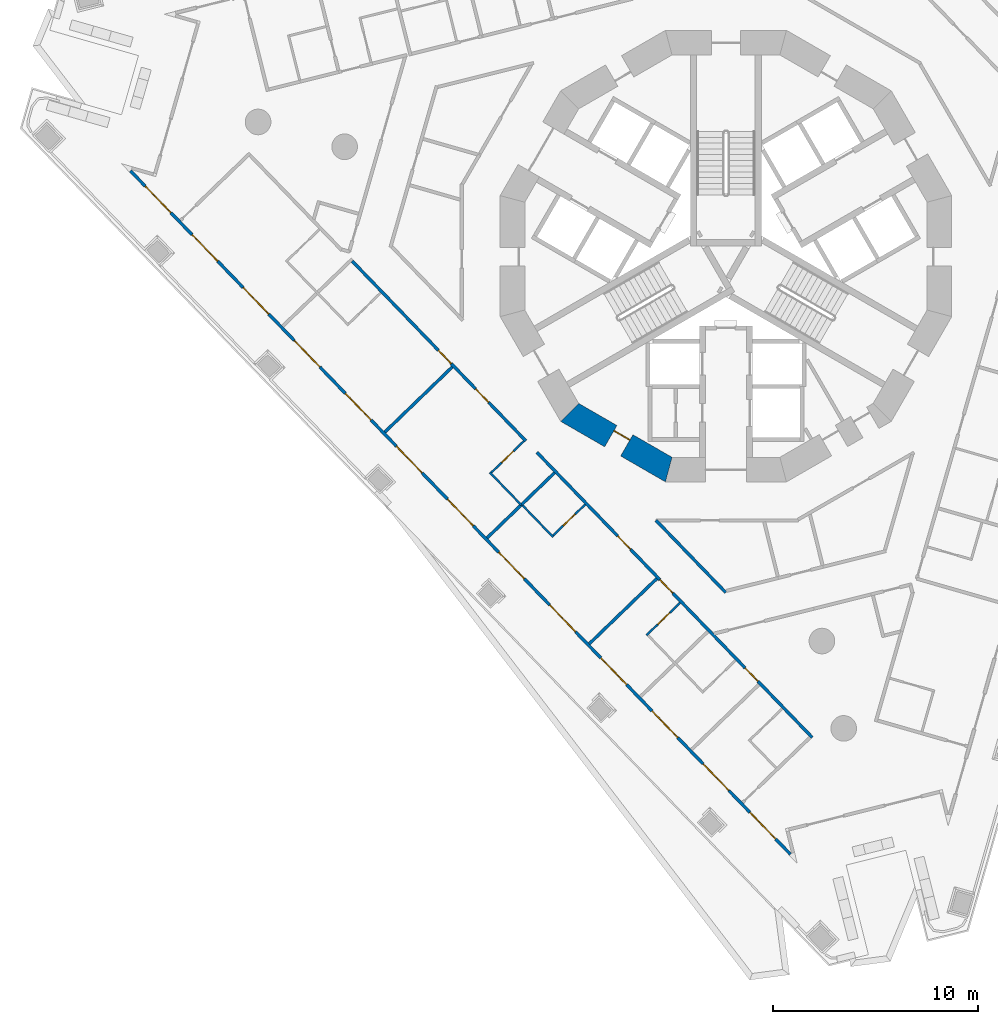
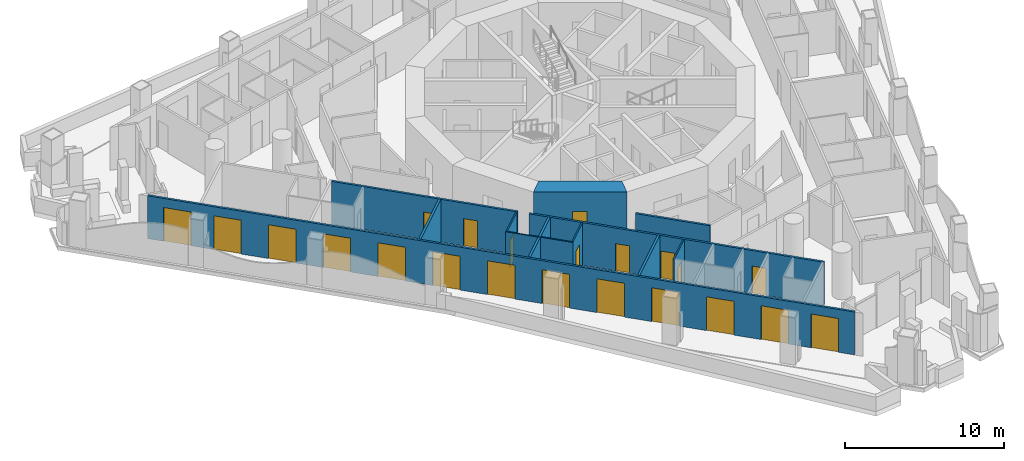
# One storey, part 2 of 19: 22 doors, 14 walls, 22 openings.
"""IFC4 building model written with IfcOpenShell, lengths in metres."""

from ifc_helpers import new_model, si_unit, direction, frame, frame_2d, origin, place, context, subcontext, project, spatial, polyline, rectangle, outline, extrude, material, layer, layer_set, type_object, element, fill, save


model = new_model("IFC4")

# Units and contexts
model_context = context("Model", 3, precision=1e-05, world=origin(), true_north=direction((0.0, 1.0)))
body_context = subcontext(model_context, "Body", "Model", "MODEL_VIEW")
ifc_project = project(units=[si_unit("LENGTHUNIT", "METRE"), si_unit("AREAUNIT", "SQUARE_METRE"), si_unit("VOLUMEUNIT", "CUBIC_METRE"), si_unit("PLANEANGLEUNIT", "RADIAN"), si_unit("MASSUNIT", "GRAM", prefix="KILO")], contexts=[model_context])

# Site, building, storey
site_placement = place(None, origin())
site = spatial("IfcSite", under=ifc_project, at=site_placement, CompositionType="ELEMENT")
building_placement = place(site_placement, origin())
building = spatial("IfcBuilding", under=site, at=building_placement, Name="Trine Commons Tower", CompositionType="ELEMENT")
storey_placement = place(building_placement, frame((0.0, 0.0, 87.300048828125)))
storey = spatial("IfcBuildingStorey", under=building, at=storey_placement, Name="L21", CompositionType="ELEMENT", Elevation=87.300048828125)

# Wall, openings, doors
ifc_material_1 = material(Name="Aluminium-framed insulated wall panel", Category="aluminium")
ifc_layer_1 = layer(ifc_material_1, 0.14990234375)
ifc_layer_set_1 = layer_set([ifc_layer_1], Name="Aluminium-framed insulated wall panel")
wall_type_1 = type_object("IfcWallType", Name="Glazed frame wall 150, EI 60", PredefinedType="SOLIDWALL", material=ifc_layer_set_1)
wall_1_placement = place(storey_placement, frame((83.25048828125, 33.21630859375, 0.0), z_axis=(0.0, 0.0, 1.0), x_axis=(-0.69466017463, 0.719338058067, 0.0)))
wall_1 = element("IfcWall", 1, at=wall_1_placement, inside=storey, type_object=wall_type_1, Name="Glazed frame wall F3", PredefinedType="SOLIDWALL", context=body_context, shape_type="SweptSolid", body=[
    extrude(outline(polyline([(0.1494140625, 0.074951171875), (0.1494140625, -0.074951171875), (46.496826171875, -0.074951171875), (46.496826171875, 0.074951171875), (0.1494140625, 0.074951171875)])), origin(), (0.0, 0.0, 1.0), 3.300048828125),
])
opening_1_placement = place(wall_1_placement, frame((1.194091796875, 0.0, 0.0)))
opening_1 = element("IfcOpeningElement", 2, at=opening_1_placement, cuts=wall_1, Name="Opening BD-3F3-01", PredefinedType="OPENING", context=body_context, shape_type="SweptSolid", body=[
    extrude(rectangle(XDim=1.800048828125, YDim=2.60009765625, at=frame_2d((0.89990234375, 1.300048828125))), frame((0.0, 0.0849609375, 0.0), z_axis=(0.0, -1.0, 0.0), x_axis=(1.0, 0.0, 0.0)), (0.0, 0.0, 1.0), 0.169921875),
])
opening_2_placement = place(wall_1_placement, frame((4.482421875, 0.0, 0.0)))
opening_2 = element("IfcOpeningElement", 3, at=opening_2_placement, cuts=wall_1, Name="Opening BD-3F3-02", PredefinedType="OPENING", context=body_context, shape_type="SweptSolid", body=[
    extrude(rectangle(XDim=1.800048828125, YDim=2.60009765625, at=frame_2d((0.89990234375, 1.300048828125))), frame((0.0, 0.0849609375, 0.0), z_axis=(0.0, -1.0, 0.0), x_axis=(1.0, 0.0, 0.0)), (0.0, 0.0, 1.0), 0.169921875),
])
opening_3_placement = place(wall_1_placement, frame((8.070556640625, 0.0, 0.0)))
opening_3 = element("IfcOpeningElement", 4, at=opening_3_placement, cuts=wall_1, Name="Opening BD-3F3-03", PredefinedType="OPENING", context=body_context, shape_type="SweptSolid", body=[
    extrude(rectangle(XDim=1.800048828125, YDim=2.60009765625, at=frame_2d((0.89990234375, 1.300048828125))), frame((0.0, 0.0849609375, 0.0), z_axis=(0.0, -1.0, 0.0), x_axis=(1.0, 0.0, 0.0)), (0.0, 0.0, 1.0), 0.169921875),
])
opening_4_placement = place(wall_1_placement, frame((11.65869140625, 0.0, 0.0)))
opening_4 = element("IfcOpeningElement", 5, at=opening_4_placement, cuts=wall_1, Name="Opening BD-3F3-04", PredefinedType="OPENING", context=body_context, shape_type="SweptSolid", body=[
    extrude(rectangle(XDim=1.800048828125, YDim=2.60009765625, at=frame_2d((0.89990234375, 1.300048828125))), frame((0.0, 0.0849609375, 0.0), z_axis=(0.0, -1.0, 0.0), x_axis=(1.0, 0.0, 0.0)), (0.0, 0.0, 1.0), 0.169921875),
])
opening_5_placement = place(wall_1_placement, frame((15.246826171875, 0.0, 0.0)))
opening_5 = element("IfcOpeningElement", 6, at=opening_5_placement, cuts=wall_1, Name="Opening BD-3F3-05", PredefinedType="OPENING", context=body_context, shape_type="SweptSolid", body=[
    extrude(rectangle(XDim=1.800048828125, YDim=2.60009765625, at=frame_2d((0.89990234375, 1.300048828125))), frame((0.0, 0.0849609375, 0.0), z_axis=(0.0, -1.0, 0.0), x_axis=(1.0, 0.0, 0.0)), (0.0, 0.0, 1.0), 0.169921875),
])
opening_6_placement = place(wall_1_placement, frame((18.835205078125, 0.0, 0.0)))
opening_6 = element("IfcOpeningElement", 7, at=opening_6_placement, cuts=wall_1, Name="Opening BD-3F3-06", PredefinedType="OPENING", context=body_context, shape_type="SweptSolid", body=[
    extrude(rectangle(XDim=1.800048828125, YDim=2.60009765625, at=frame_2d((0.89990234375, 1.300048828125))), frame((0.0, 0.0849609375, 0.0), z_axis=(0.0, -1.0, 0.0), x_axis=(1.0, 0.0, 0.0)), (0.0, 0.0, 1.0), 0.169921875),
])
opening_7_placement = place(wall_1_placement, frame((22.42333984375, 0.0, 0.0)))
opening_7 = element("IfcOpeningElement", 8, at=opening_7_placement, cuts=wall_1, Name="Opening BD-3F3-07", PredefinedType="OPENING", context=body_context, shape_type="SweptSolid", body=[
    extrude(rectangle(XDim=1.800048828125, YDim=2.60009765625, at=frame_2d((0.89990234375, 1.300048828125))), frame((0.0, 0.0849609375, 0.0), z_axis=(0.0, -1.0, 0.0), x_axis=(1.0, 0.0, 0.0)), (0.0, 0.0, 1.0), 0.169921875),
])
opening_8_placement = place(wall_1_placement, frame((26.011474609375, 0.0, 0.0)))
opening_8 = element("IfcOpeningElement", 9, at=opening_8_placement, cuts=wall_1, Name="Opening BD-3F3-08", PredefinedType="OPENING", context=body_context, shape_type="SweptSolid", body=[
    extrude(rectangle(XDim=1.800048828125, YDim=2.60009765625, at=frame_2d((0.89990234375, 1.300048828125))), frame((0.0, 0.0849609375, 0.0), z_axis=(0.0, -1.0, 0.0), x_axis=(1.0, 0.0, 0.0)), (0.0, 0.0, 1.0), 0.169921875),
])
opening_9_placement = place(wall_1_placement, frame((29.599609375, 0.0, 0.0)))
opening_9 = element("IfcOpeningElement", 10, at=opening_9_placement, cuts=wall_1, Name="Opening BD-3F3-09", PredefinedType="OPENING", context=body_context, shape_type="SweptSolid", body=[
    extrude(rectangle(XDim=1.800048828125, YDim=2.60009765625, at=frame_2d((0.89990234375, 1.300048828125))), frame((0.0, 0.0849609375, 0.0), z_axis=(0.0, -1.0, 0.0), x_axis=(1.0, 0.0, 0.0)), (0.0, 0.0, 1.0), 0.169921875),
])
opening_10_placement = place(wall_1_placement, frame((33.18798828125, 0.0, 0.0)))
opening_10 = element("IfcOpeningElement", 11, at=opening_10_placement, cuts=wall_1, Name="Opening BD-3F3-10", PredefinedType="OPENING", context=body_context, shape_type="SweptSolid", body=[
    extrude(rectangle(XDim=1.800048828125, YDim=2.60009765625, at=frame_2d((0.89990234375, 1.300048828125))), frame((0.0, 0.0849609375, 0.0), z_axis=(0.0, -1.0, 0.0), x_axis=(1.0, 0.0, 0.0)), (0.0, 0.0, 1.0), 0.169921875),
])
opening_11_placement = place(wall_1_placement, frame((36.776123046875, 0.0, 0.0)))
opening_11 = element("IfcOpeningElement", 12, at=opening_11_placement, cuts=wall_1, Name="Opening BD-3F3-11", PredefinedType="OPENING", context=body_context, shape_type="SweptSolid", body=[
    extrude(rectangle(XDim=1.800048828125, YDim=2.60009765625, at=frame_2d((0.89990234375, 1.300048828125))), frame((0.0, 0.0849609375, 0.0), z_axis=(0.0, -1.0, 0.0), x_axis=(1.0, 0.0, 0.0)), (0.0, 0.0, 1.0), 0.169921875),
])
opening_12_placement = place(wall_1_placement, frame((40.3642578125, 0.0, 0.0)))
opening_12 = element("IfcOpeningElement", 13, at=opening_12_placement, cuts=wall_1, Name="Opening BD-3F3-12", PredefinedType="OPENING", context=body_context, shape_type="SweptSolid", body=[
    extrude(rectangle(XDim=1.800048828125, YDim=2.60009765625, at=frame_2d((0.89990234375, 1.300048828125))), frame((0.0, 0.0849609375, 0.0), z_axis=(0.0, -1.0, 0.0), x_axis=(1.0, 0.0, 0.0)), (0.0, 0.0, 1.0), 0.169921875),
])
opening_13_placement = place(wall_1_placement, frame((43.652587890625, 0.0, 0.0)))
opening_13 = element("IfcOpeningElement", 14, at=opening_13_placement, cuts=wall_1, Name="Opening BD-3F3-13", PredefinedType="OPENING", context=body_context, shape_type="SweptSolid", body=[
    extrude(rectangle(XDim=1.800048828125, YDim=2.60009765625, at=frame_2d((0.89990234375, 1.300048828125))), frame((0.0, 0.0849609375, 0.0), z_axis=(0.0, -1.0, 0.0), x_axis=(1.0, 0.0, 0.0)), (0.0, 0.0, 1.0), 0.169921875),
])
ifc_material_2 = material(Name="Anodised aluminium frame with double glazing", Category="aluminium")
door_type_1 = type_object("IfcDoorType", Name="Sliding loggia door 1800x2600", OperationType="SLIDING_TO_LEFT", PredefinedType="DOOR", material=ifc_material_2)
door_1_placement = place(opening_1_placement, origin())
door_1 = element("IfcDoor", 15, at=door_1_placement, inside=storey, type_object=door_type_1, Name="Loggia door F3 1", OperationType="SLIDING_TO_LEFT", OverallHeight=2.60009765625, OverallWidth=1.800048828125, PredefinedType="DOOR", context=body_context, shape_type="SweptSolid", body=[
    extrude(rectangle(XDim=1.800048828125, YDim=2.60009765625, at=frame_2d((0.89990234375, 1.300048828125))), frame((0.0, 0.02490234375, 0.0), z_axis=(0.0, -1.0, 0.0), x_axis=(1.0, 0.0, 0.0)), (0.0, 0.0, 1.0), 0.050048828125),
])
fill(opening_1, door_1)
door_2_placement = place(opening_2_placement, origin())
door_2 = element("IfcDoor", 16, at=door_2_placement, inside=storey, type_object=door_type_1, Name="Loggia door F3 2", OperationType="SLIDING_TO_LEFT", OverallHeight=2.60009765625, OverallWidth=1.800048828125, PredefinedType="DOOR", context=body_context, shape_type="SweptSolid", body=[
    extrude(rectangle(XDim=1.800048828125, YDim=2.60009765625, at=frame_2d((0.89990234375, 1.300048828125))), frame((0.0, 0.02490234375, 0.0), z_axis=(0.0, -1.0, 0.0), x_axis=(1.0, 0.0, 0.0)), (0.0, 0.0, 1.0), 0.050048828125),
])
fill(opening_2, door_2)
door_3_placement = place(opening_3_placement, origin())
door_3 = element("IfcDoor", 17, at=door_3_placement, inside=storey, type_object=door_type_1, Name="Loggia door F3 3", OperationType="SLIDING_TO_LEFT", OverallHeight=2.60009765625, OverallWidth=1.800048828125, PredefinedType="DOOR", context=body_context, shape_type="SweptSolid", body=[
    extrude(rectangle(XDim=1.800048828125, YDim=2.60009765625, at=frame_2d((0.89990234375, 1.300048828125))), frame((0.0, 0.02490234375, 0.0), z_axis=(0.0, -1.0, 0.0), x_axis=(1.0, 0.0, 0.0)), (0.0, 0.0, 1.0), 0.050048828125),
])
fill(opening_3, door_3)
door_4_placement = place(opening_4_placement, origin())
door_4 = element("IfcDoor", 18, at=door_4_placement, inside=storey, type_object=door_type_1, Name="Loggia door F3 4", OperationType="SLIDING_TO_LEFT", OverallHeight=2.60009765625, OverallWidth=1.800048828125, PredefinedType="DOOR", context=body_context, shape_type="SweptSolid", body=[
    extrude(rectangle(XDim=1.800048828125, YDim=2.60009765625, at=frame_2d((0.89990234375, 1.300048828125))), frame((0.0, 0.02490234375, 0.0), z_axis=(0.0, -1.0, 0.0), x_axis=(1.0, 0.0, 0.0)), (0.0, 0.0, 1.0), 0.050048828125),
])
fill(opening_4, door_4)
door_5_placement = place(opening_5_placement, origin())
door_5 = element("IfcDoor", 19, at=door_5_placement, inside=storey, type_object=door_type_1, Name="Loggia door F3 5", OperationType="SLIDING_TO_LEFT", OverallHeight=2.60009765625, OverallWidth=1.800048828125, PredefinedType="DOOR", context=body_context, shape_type="SweptSolid", body=[
    extrude(rectangle(XDim=1.800048828125, YDim=2.60009765625, at=frame_2d((0.89990234375, 1.300048828125))), frame((0.0, 0.02490234375, 0.0), z_axis=(0.0, -1.0, 0.0), x_axis=(1.0, 0.0, 0.0)), (0.0, 0.0, 1.0), 0.050048828125),
])
fill(opening_5, door_5)
door_6_placement = place(opening_6_placement, origin())
door_6 = element("IfcDoor", 20, at=door_6_placement, inside=storey, type_object=door_type_1, Name="Loggia door F3 6", OperationType="SLIDING_TO_LEFT", OverallHeight=2.60009765625, OverallWidth=1.800048828125, PredefinedType="DOOR", context=body_context, shape_type="SweptSolid", body=[
    extrude(rectangle(XDim=1.800048828125, YDim=2.60009765625, at=frame_2d((0.89990234375, 1.300048828125))), frame((0.0, 0.02490234375, 0.0), z_axis=(0.0, -1.0, 0.0), x_axis=(1.0, 0.0, 0.0)), (0.0, 0.0, 1.0), 0.050048828125),
])
fill(opening_6, door_6)
door_7_placement = place(opening_7_placement, origin())
door_7 = element("IfcDoor", 21, at=door_7_placement, inside=storey, type_object=door_type_1, Name="Loggia door F3 7", OperationType="SLIDING_TO_LEFT", OverallHeight=2.60009765625, OverallWidth=1.800048828125, PredefinedType="DOOR", context=body_context, shape_type="SweptSolid", body=[
    extrude(rectangle(XDim=1.800048828125, YDim=2.60009765625, at=frame_2d((0.89990234375, 1.300048828125))), frame((0.0, 0.02490234375, 0.0), z_axis=(0.0, -1.0, 0.0), x_axis=(1.0, 0.0, 0.0)), (0.0, 0.0, 1.0), 0.050048828125),
])
fill(opening_7, door_7)
door_8_placement = place(opening_8_placement, origin())
door_8 = element("IfcDoor", 22, at=door_8_placement, inside=storey, type_object=door_type_1, Name="Loggia door F3 8", OperationType="SLIDING_TO_LEFT", OverallHeight=2.60009765625, OverallWidth=1.800048828125, PredefinedType="DOOR", context=body_context, shape_type="SweptSolid", body=[
    extrude(rectangle(XDim=1.800048828125, YDim=2.60009765625, at=frame_2d((0.89990234375, 1.300048828125))), frame((0.0, 0.02490234375, 0.0), z_axis=(0.0, -1.0, 0.0), x_axis=(1.0, 0.0, 0.0)), (0.0, 0.0, 1.0), 0.050048828125),
])
fill(opening_8, door_8)
door_9_placement = place(opening_9_placement, origin())
door_9 = element("IfcDoor", 23, at=door_9_placement, inside=storey, type_object=door_type_1, Name="Loggia door F3 9", OperationType="SLIDING_TO_LEFT", OverallHeight=2.60009765625, OverallWidth=1.800048828125, PredefinedType="DOOR", context=body_context, shape_type="SweptSolid", body=[
    extrude(rectangle(XDim=1.800048828125, YDim=2.60009765625, at=frame_2d((0.89990234375, 1.300048828125))), frame((0.0, 0.02490234375, 0.0), z_axis=(0.0, -1.0, 0.0), x_axis=(1.0, 0.0, 0.0)), (0.0, 0.0, 1.0), 0.050048828125),
])
fill(opening_9, door_9)
door_10_placement = place(opening_10_placement, origin())
door_10 = element("IfcDoor", 24, at=door_10_placement, inside=storey, type_object=door_type_1, Name="Loggia door F3 10", OperationType="SLIDING_TO_LEFT", OverallHeight=2.60009765625, OverallWidth=1.800048828125, PredefinedType="DOOR", context=body_context, shape_type="SweptSolid", body=[
    extrude(rectangle(XDim=1.800048828125, YDim=2.60009765625, at=frame_2d((0.89990234375, 1.300048828125))), frame((0.0, 0.02490234375, 0.0), z_axis=(0.0, -1.0, 0.0), x_axis=(1.0, 0.0, 0.0)), (0.0, 0.0, 1.0), 0.050048828125),
])
fill(opening_10, door_10)
door_11_placement = place(opening_11_placement, origin())
door_11 = element("IfcDoor", 25, at=door_11_placement, inside=storey, type_object=door_type_1, Name="Loggia door F3 11", OperationType="SLIDING_TO_LEFT", OverallHeight=2.60009765625, OverallWidth=1.800048828125, PredefinedType="DOOR", context=body_context, shape_type="SweptSolid", body=[
    extrude(rectangle(XDim=1.800048828125, YDim=2.60009765625, at=frame_2d((0.89990234375, 1.300048828125))), frame((0.0, 0.02490234375, 0.0), z_axis=(0.0, -1.0, 0.0), x_axis=(1.0, 0.0, 0.0)), (0.0, 0.0, 1.0), 0.050048828125),
])
fill(opening_11, door_11)
door_12_placement = place(opening_12_placement, origin())
door_12 = element("IfcDoor", 26, at=door_12_placement, inside=storey, type_object=door_type_1, Name="Loggia door F3 12", OperationType="SLIDING_TO_LEFT", OverallHeight=2.60009765625, OverallWidth=1.800048828125, PredefinedType="DOOR", context=body_context, shape_type="SweptSolid", body=[
    extrude(rectangle(XDim=1.800048828125, YDim=2.60009765625, at=frame_2d((0.89990234375, 1.300048828125))), frame((0.0, 0.02490234375, 0.0), z_axis=(0.0, -1.0, 0.0), x_axis=(1.0, 0.0, 0.0)), (0.0, 0.0, 1.0), 0.050048828125),
])
fill(opening_12, door_12)
door_13_placement = place(opening_13_placement, origin())
door_13 = element("IfcDoor", 27, at=door_13_placement, inside=storey, type_object=door_type_1, Name="Loggia door F3 13", OperationType="SLIDING_TO_LEFT", OverallHeight=2.60009765625, OverallWidth=1.800048828125, PredefinedType="DOOR", context=body_context, shape_type="SweptSolid", body=[
    extrude(rectangle(XDim=1.800048828125, YDim=2.60009765625, at=frame_2d((0.89990234375, 1.300048828125))), frame((0.0, 0.02490234375, 0.0), z_axis=(0.0, -1.0, 0.0), x_axis=(1.0, 0.0, 0.0)), (0.0, 0.0, 1.0), 0.050048828125),
])
fill(opening_13, door_13)

# Wall, opening, door
ifc_material_3 = material(Name="Concrete C70/85", Category="concrete")
ifc_layer_2 = layer(ifc_material_3, 1.199951171875)
ifc_layer_set_2 = layer_set([ifc_layer_2], Name="Concrete C70/85")
wall_type_2 = type_object("IfcWallType", Name="RC shear wall 1200 mm, C70/85", PredefinedType="SHEAR", material=ifc_layer_set_2)
wall_2_placement = place(storey_placement, frame((72.239013671875, 54.95849609375, 0.0), z_axis=(0.0, 0.0, 1.0), x_axis=(0.866037463336, -0.499979111662, 0.0)))
wall_2 = element("IfcWall", 28, at=wall_2_placement, inside=storey, type_object=wall_type_2, Name="Core wall CWC-09 L21", PredefinedType="SHEAR", context=body_context, shape_type="SweptSolid", body=[
    extrude(outline(polyline([(0.0, -0.60009765625), (5.901123046875, -0.60009765625), (5.57958984375, 0.60009765625), (0.321533203125, 0.60009765625), (0.0, -0.60009765625)])), origin(), (0.0, 0.0, 1.0), 3.599853515625),
])
opening_14_placement = place(wall_2_placement, frame((2.4765625, 0.0, 0.0)))
opening_14 = element("IfcOpeningElement", 29, at=opening_14_placement, cuts=wall_2, Name="Opening K04.15", PredefinedType="OPENING", context=body_context, shape_type="SweptSolid", body=[
    extrude(rectangle(XDim=0.89990234375, YDim=2.10009765625, at=frame_2d((0.449951171875, 1.050048828125))), frame((0.0, 0.60986328125, 0.0), z_axis=(0.0, -1.0, 0.0), x_axis=(1.0, 0.0, 0.0)), (0.0, 0.0, 1.0), 1.219970703125),
])
ifc_material_4 = material(Name="Steel door leaf, fire-rated", Category="steel")
door_type_2 = type_object("IfcDoorType", Name="Core room door, single leaf 900 x 2100, FD30S", OperationType="SINGLE_SWING_LEFT", PredefinedType="DOOR", material=ifc_material_4)
door_14_placement = place(opening_14_placement, origin())
door_14 = element("IfcDoor", 30, at=door_14_placement, inside=storey, type_object=door_type_2, Name="Door to Cleaner's store L21", OperationType="SINGLE_SWING_LEFT", OverallHeight=2.10009765625, OverallWidth=0.89990234375, PredefinedType="DOOR", context=body_context, shape_type="SweptSolid", body=[
    extrude(rectangle(XDim=0.89990234375, YDim=2.10009765625, at=frame_2d((0.449951171875, 1.050048828125))), frame((0.0, 0.3251953125, 0.0), z_axis=(0.0, -1.0, 0.0), x_axis=(1.0, 0.0, 0.0)), (0.0, 0.0, 1.0), 0.050048828125),
])
fill(opening_14, door_14)

# Wall, openings, doors
ifc_material_5 = material(Name="Gypsum plasterboard on steel stud", Category="steel")
ifc_layer_3 = layer(ifc_material_5, 0.14990234375)
ifc_layer_set_3 = layer_set([ifc_layer_3], Name="Gypsum plasterboard on steel stud")
wall_type_3 = type_object("IfcWallType", Name="Unit and corridor wall 150 mm, EI 60", PredefinedType="PARTITIONING", material=ifc_layer_set_3)
wall_3_placement = place(storey_placement, frame((61.772216796875, 62.257080078125, 0.0), z_axis=(0.0, 0.0, 1.0), x_axis=(0.694667095858, -0.719331374217, 0.0)))
wall_3 = element("IfcWall", 31, at=wall_3_placement, inside=storey, type_object=wall_type_3, Name="Partition 019", PredefinedType="PARTITIONING", context=body_context, shape_type="SweptSolid", body=[
    extrude(rectangle(XDim=12.18505859375, YDim=0.14990234375, at=frame_2d((6.092529296875, 0.0))), origin(), (0.0, 0.0, 1.0), 3.300048828125),
])
opening_15_placement = place(wall_3_placement, frame((8.67138671875, 0.0, 0.0)))
opening_15 = element("IfcOpeningElement", 32, at=opening_15_placement, cuts=wall_3, Name="Opening D-3A26", PredefinedType="OPENING", context=body_context, shape_type="SweptSolid", body=[
    extrude(rectangle(XDim=0.89990234375, YDim=2.10009765625, at=frame_2d((0.449951171875, 1.050048828125))), frame((0.0, 0.0849609375, 0.0), z_axis=(0.0, -1.0, 0.0), x_axis=(1.0, 0.0, 0.0)), (0.0, 0.0, 1.0), 0.169921875),
])
opening_16_placement = place(wall_3_placement, frame((6.0546875, 0.0, 0.0)))
opening_16 = element("IfcOpeningElement", 33, at=opening_16_placement, cuts=wall_3, Name="Opening D-3A27", PredefinedType="OPENING", context=body_context, shape_type="SweptSolid", body=[
    extrude(rectangle(XDim=0.89990234375, YDim=2.10009765625, at=frame_2d((0.449951171875, 1.050048828125))), frame((0.0, 0.0849609375, 0.0), z_axis=(0.0, -1.0, 0.0), x_axis=(1.0, 0.0, 0.0)), (0.0, 0.0, 1.0), 0.169921875),
])
ifc_material_6 = material(Name="Timber fire door set", Category="wood")
door_type_3 = type_object("IfcDoorType", Name="Bedroom door 900 x 2100, FD30S", OperationType="NOTDEFINED", PredefinedType="DOOR", material=ifc_material_6)
door_15_placement = place(opening_15_placement, frame((0.89990234375, 0.0, 0.0), z_axis=(0.0, 0.0, 1.0), x_axis=(-1.0, 0.0, 0.0)))
door_15 = element("IfcDoor", 34, at=door_15_placement, inside=storey, type_object=door_type_3, Name="Door D-3A26", OperationType="SINGLE_SWING_LEFT", OverallHeight=2.10009765625, OverallWidth=0.89990234375, PredefinedType="DOOR", context=body_context, shape_type="SweptSolid", body=[
    extrude(rectangle(XDim=0.89990234375, YDim=2.10009765625, at=frame_2d((0.449951171875, 1.050048828125))), frame((0.0, 0.02490234375, 0.0), z_axis=(0.0, -1.0, 0.0), x_axis=(1.0, 0.0, 0.0)), (0.0, 0.0, 1.0), 0.050048828125),
])
fill(opening_15, door_15)
door_16_placement = place(opening_16_placement, frame((0.89990234375, 0.0, 0.0), z_axis=(0.0, 0.0, 1.0), x_axis=(-1.0, 0.0, 0.0)))
door_16 = element("IfcDoor", 35, at=door_16_placement, inside=storey, type_object=door_type_3, Name="Door D-3A27", OperationType="SINGLE_SWING_LEFT", OverallHeight=2.10009765625, OverallWidth=0.89990234375, PredefinedType="DOOR", context=body_context, shape_type="SweptSolid", body=[
    extrude(rectangle(XDim=0.89990234375, YDim=2.10009765625, at=frame_2d((0.449951171875, 1.050048828125))), frame((0.0, 0.02490234375, 0.0), z_axis=(0.0, -1.0, 0.0), x_axis=(1.0, 0.0, 0.0)), (0.0, 0.0, 1.0), 0.050048828125),
])
fill(opening_16, door_16)

# Walls
wall_4_placement = place(storey_placement, frame((63.36376953125, 53.917724609375, 0.0), z_axis=(0.0, 0.0, 1.0), x_axis=(0.719359139448, 0.694638343667, 0.0)))
element("IfcWall", 36, at=wall_4_placement, inside=storey, type_object=wall_type_3, Name="Partition 023", PredefinedType="PARTITIONING", context=body_context, shape_type="SweptSolid", body=[
    extrude(rectangle(XDim=4.572509765625, YDim=0.14990234375, at=frame_2d((2.2861328125, 0.0))), origin(), (0.0, 0.0, 1.0), 3.300048828125),
])
wall_5_placement = place(storey_placement, frame((68.348876953125, 48.7548828125, 0.0), z_axis=(0.0, 0.0, 1.0), x_axis=(0.719519317985, 0.694472426412, 0.0)))
element("IfcWall", 37, at=wall_5_placement, inside=storey, type_object=wall_type_3, Name="Partition 041", PredefinedType="PARTITIONING", context=body_context, shape_type="SweptSolid", body=[
    extrude(rectangle(XDim=2.31982421875, YDim=0.14990234375, at=frame_2d((1.159912109375, 0.0))), origin(), (0.0, 0.0, 1.0), 3.300048828125),
])
wall_6_placement = place(storey_placement, frame((70.001953125, 50.351318359375, 0.0), z_axis=(0.0, 0.0, 1.0), x_axis=(0.719390368222, 0.694606002068, 0.0)))
element("IfcWall", 38, at=wall_6_placement, inside=storey, type_object=wall_type_3, Name="Partition 046", PredefinedType="PARTITIONING", context=body_context, shape_type="SweptSolid", body=[
    extrude(rectangle(XDim=2.275390625, YDim=0.14990234375, at=frame_2d((1.1376953125, 0.0))), origin(), (0.0, 0.0, 1.0), 3.300048828125),
])

# Wall, openings, doors
wall_7_placement = place(storey_placement, frame((70.779052734375, 52.928955078125, 0.0), z_axis=(0.0, 0.0, 1.0), x_axis=(0.694659650284, -0.719338564424, 0.0)))
wall_7 = element("IfcWall", 39, at=wall_7_placement, inside=storey, type_object=wall_type_3, Name="Partition 048", PredefinedType="PARTITIONING", context=body_context, shape_type="SweptSolid", body=[
    extrude(rectangle(XDim=19.330322265625, YDim=0.14990234375, at=frame_2d((9.6650390625, 0.0))), origin(), (0.0, 0.0, 1.0), 3.300048828125),
])
opening_17_placement = place(wall_7_placement, frame((14.61767578125, 0.0, 0.0)))
opening_17 = element("IfcOpeningElement", 40, at=opening_17_placement, cuts=wall_7, Name="Opening D-3A23", PredefinedType="OPENING", context=body_context, shape_type="SweptSolid", body=[
    extrude(rectangle(XDim=0.89990234375, YDim=2.10009765625, at=frame_2d((0.449951171875, 1.050048828125))), frame((0.0, 0.0849609375, 0.0), z_axis=(0.0, -1.0, 0.0), x_axis=(1.0, 0.0, 0.0)), (0.0, 0.0, 1.0), 0.169921875),
])
opening_18_placement = place(wall_7_placement, frame((8.640869140625, 0.0, 0.0)))
opening_18 = element("IfcOpeningElement", 41, at=opening_18_placement, cuts=wall_7, Name="Opening D-3A24", PredefinedType="OPENING", context=body_context, shape_type="SweptSolid", body=[
    extrude(rectangle(XDim=0.89990234375, YDim=2.10009765625, at=frame_2d((0.449951171875, 1.050048828125))), frame((0.0, 0.0849609375, 0.0), z_axis=(0.0, -1.0, 0.0), x_axis=(1.0, 0.0, 0.0)), (0.0, 0.0, 1.0), 0.169921875),
])
opening_19_placement = place(wall_7_placement, frame((5.673583984375, 0.0, 0.0)))
opening_19 = element("IfcOpeningElement", 42, at=opening_19_placement, cuts=wall_7, Name="Opening D-3A25", PredefinedType="OPENING", context=body_context, shape_type="SweptSolid", body=[
    extrude(rectangle(XDim=0.89990234375, YDim=2.10009765625, at=frame_2d((0.449951171875, 1.050048828125))), frame((0.0, 0.0849609375, 0.0), z_axis=(0.0, -1.0, 0.0), x_axis=(1.0, 0.0, 0.0)), (0.0, 0.0, 1.0), 0.169921875),
])
door_17_placement = place(opening_17_placement, frame((0.89990234375, 0.0, 0.0), z_axis=(0.0, 0.0, 1.0), x_axis=(-1.0, 0.0, 0.0)))
door_17 = element("IfcDoor", 43, at=door_17_placement, inside=storey, type_object=door_type_3, Name="Door D-3A23", OperationType="SINGLE_SWING_LEFT", OverallHeight=2.10009765625, OverallWidth=0.89990234375, PredefinedType="DOOR", context=body_context, shape_type="SweptSolid", body=[
    extrude(rectangle(XDim=0.89990234375, YDim=2.10009765625, at=frame_2d((0.449951171875, 1.050048828125))), frame((0.0, 0.02490234375, 0.0), z_axis=(0.0, -1.0, 0.0), x_axis=(1.0, 0.0, 0.0)), (0.0, 0.0, 1.0), 0.050048828125),
])
fill(opening_17, door_17)
door_18_placement = place(opening_18_placement, frame((0.89990234375, 0.0, 0.0), z_axis=(0.0, 0.0, 1.0), x_axis=(-1.0, 0.0, 0.0)))
door_18 = element("IfcDoor", 44, at=door_18_placement, inside=storey, type_object=door_type_3, Name="Door D-3A24", OperationType="SINGLE_SWING_RIGHT", OverallHeight=2.10009765625, OverallWidth=0.89990234375, PredefinedType="DOOR", context=body_context, shape_type="SweptSolid", body=[
    extrude(rectangle(XDim=0.89990234375, YDim=2.10009765625, at=frame_2d((0.449951171875, 1.050048828125))), frame((0.0, 0.02490234375, 0.0), z_axis=(0.0, -1.0, 0.0), x_axis=(1.0, 0.0, 0.0)), (0.0, 0.0, 1.0), 0.050048828125),
])
fill(opening_18, door_18)
door_19_placement = place(opening_19_placement, frame((0.89990234375, 0.0, 0.0), z_axis=(0.0, 0.0, 1.0), x_axis=(-1.0, 0.0, 0.0)))
door_19 = element("IfcDoor", 45, at=door_19_placement, inside=storey, type_object=door_type_3, Name="Door D-3A25", OperationType="SINGLE_SWING_RIGHT", OverallHeight=2.10009765625, OverallWidth=0.89990234375, PredefinedType="DOOR", context=body_context, shape_type="SweptSolid", body=[
    extrude(rectangle(XDim=0.89990234375, YDim=2.10009765625, at=frame_2d((0.449951171875, 1.050048828125))), frame((0.0, 0.02490234375, 0.0), z_axis=(0.0, -1.0, 0.0), x_axis=(1.0, 0.0, 0.0)), (0.0, 0.0, 1.0), 0.050048828125),
])
fill(opening_19, door_19)

# Walls
wall_8_placement = place(storey_placement, frame((73.334716796875, 43.5927734375, 0.0), z_axis=(0.0, 0.0, 1.0), x_axis=(0.719252426756, 0.694748837067, 0.0)))
element("IfcWall", 46, at=wall_8_placement, inside=storey, type_object=wall_type_3, Name="Partition 051", PredefinedType="PARTITIONING", context=body_context, shape_type="SweptSolid", body=[
    extrude(rectangle(XDim=4.5732421875, YDim=0.14990234375, at=frame_2d((2.28662109375, 0.0))), origin(), (0.0, 0.0, 1.0), 3.300048828125),
])
wall_9_placement = place(storey_placement, frame((76.587890625, 49.613037109375, 0.0), z_axis=(0.0, 0.0, 1.0), x_axis=(0.694768247914, -0.719233676694, 0.0)))
element("IfcWall", 47, at=wall_9_placement, inside=storey, type_object=wall_type_3, Name="Partition 058", PredefinedType="PARTITIONING", context=body_context, shape_type="SweptSolid", body=[
    extrude(rectangle(XDim=4.8896484375, YDim=0.14990234375, at=frame_2d((2.44482421875, 0.0))), origin(), (0.0, 0.0, 1.0), 3.300048828125),
])
ifc_layer_4 = layer(ifc_material_5, 0.10009765625)
ifc_layer_set_4 = layer_set([ifc_layer_4], Name="Gypsum plasterboard on steel stud")
wall_type_4 = type_object("IfcWallType", Name="Unit partition 100 mm, no rating", PredefinedType="PARTITIONING", material=ifc_layer_set_4)
wall_10_placement = place(storey_placement, frame((68.4873046875, 51.946044921875, 0.0), z_axis=(0.0, 0.0, 1.0), x_axis=(0.694620268713, -0.719376592817, 0.0)))
element("IfcWall", 48, at=wall_10_placement, inside=storey, type_object=wall_type_4, Name="Partition 042", PredefinedType="PARTITIONING", context=body_context, shape_type="SweptSolid", body=[
    extrude(rectangle(XDim=2.19921875, YDim=0.10009765625, at=frame_2d((1.099609375, 0.0))), origin(), (0.0, 0.0, 1.0), 3.300048828125),
])

# Wall, opening, door
wall_11_placement = place(storey_placement, frame((68.55810546875, 51.944580078125, 0.0), z_axis=(0.0, 0.0, 1.0), x_axis=(0.719172648097, 0.694831420007, 0.0)))
wall_11 = element("IfcWall", 49, at=wall_11_placement, inside=storey, type_object=wall_type_4, Name="Partition 043", PredefinedType="PARTITIONING", context=body_context, shape_type="SweptSolid", body=[
    extrude(rectangle(XDim=2.20654296875, YDim=0.10009765625, at=frame_2d((1.103271484375, 0.0))), origin(), (0.0, 0.0, 1.0), 3.300048828125),
])
opening_20_placement = place(wall_11_placement, frame((0.703369140625, 0.0, 0.0)))
opening_20 = element("IfcOpeningElement", 50, at=opening_20_placement, cuts=wall_11, Name="Opening D-3A55", PredefinedType="OPENING", context=body_context, shape_type="SweptSolid", body=[
    extrude(rectangle(XDim=0.800048828125, YDim=2.10009765625, at=frame_2d((0.39990234375, 1.050048828125))), frame((0.0, 0.06005859375, 0.0), z_axis=(0.0, -1.0, 0.0), x_axis=(1.0, 0.0, 0.0)), (0.0, 0.0, 1.0), 0.1201171875),
])
ifc_material_7 = material(Name="Painted timber", Category="wood")
door_type_4 = type_object("IfcDoorType", Name="Internal door 800 x 2100, NOT RATED", OperationType="NOTDEFINED", PredefinedType="DOOR", material=ifc_material_7)
door_20_placement = place(opening_20_placement, origin())
door_20 = element("IfcDoor", 51, at=door_20_placement, inside=storey, type_object=door_type_4, Name="Door D-3A55", OperationType="SINGLE_SWING_LEFT", OverallHeight=2.10009765625, OverallWidth=0.800048828125, PredefinedType="DOOR", context=body_context, shape_type="SweptSolid", body=[
    extrude(rectangle(XDim=0.800048828125, YDim=2.10009765625, at=frame_2d((0.39990234375, 1.050048828125))), frame((0.0, 0.02490234375, 0.0), z_axis=(0.0, -1.0, 0.0), x_axis=(1.0, 0.0, 0.0)), (0.0, 0.0, 1.0), 0.050048828125),
])
fill(opening_20, door_20)

# Wall
wall_12_placement = place(storey_placement, frame((70.090087890625, 50.33203125, 0.0), z_axis=(0.0, 0.0, 1.0), x_axis=(0.694651904382, -0.719346044501, 0.0)))
element("IfcWall", 52, at=wall_12_placement, inside=storey, type_object=wall_type_4, Name="Partition 045", PredefinedType="PARTITIONING", context=body_context, shape_type="SweptSolid", body=[
    extrude(rectangle(XDim=2.125732421875, YDim=0.10009765625, at=frame_2d((1.06298828125, 0.0))), origin(), (0.0, 0.0, 1.0), 3.300048828125),
])

# Wall, opening, door
wall_13_placement = place(storey_placement, frame((71.568115234375, 48.873779296875, 0.0), z_axis=(0.0, 0.0, 1.0), x_axis=(0.719126734191, 0.69487893922, 0.0)))
wall_13 = element("IfcWall", 53, at=wall_13_placement, inside=storey, type_object=wall_type_4, Name="Partition 049", PredefinedType="PARTITIONING", context=body_context, shape_type="SweptSolid", body=[
    extrude(rectangle(XDim=2.1748046875, YDim=0.10009765625, at=frame_2d((1.08740234375, 0.0))), origin(), (0.0, 0.0, 1.0), 3.300048828125),
])
opening_21_placement = place(wall_13_placement, frame((0.6875, 0.0, 0.0)))
opening_21 = element("IfcOpeningElement", 54, at=opening_21_placement, cuts=wall_13, Name="Opening D-3A54", PredefinedType="OPENING", context=body_context, shape_type="SweptSolid", body=[
    extrude(rectangle(XDim=0.800048828125, YDim=2.10009765625, at=frame_2d((0.39990234375, 1.050048828125))), frame((0.0, 0.06005859375, 0.0), z_axis=(0.0, -1.0, 0.0), x_axis=(1.0, 0.0, 0.0)), (0.0, 0.0, 1.0), 0.1201171875),
])
door_21_placement = place(opening_21_placement, frame((0.800048828125, 0.0, 0.0), z_axis=(0.0, 0.0, 1.0), x_axis=(-1.0, 0.0, 0.0)))
door_21 = element("IfcDoor", 55, at=door_21_placement, inside=storey, type_object=door_type_4, Name="Door D-3A54", OperationType="SINGLE_SWING_RIGHT", OverallHeight=2.10009765625, OverallWidth=0.800048828125, PredefinedType="DOOR", context=body_context, shape_type="SweptSolid", body=[
    extrude(rectangle(XDim=0.800048828125, YDim=2.10009765625, at=frame_2d((0.39990234375, 1.050048828125))), frame((0.0, 0.02490234375, 0.0), z_axis=(0.0, -1.0, 0.0), x_axis=(1.0, 0.0, 0.0)), (0.0, 0.0, 1.0), 0.050048828125),
])
fill(opening_21, door_21)

wall_14_placement = place(storey_placement, frame((76.125, 44.01025390625, 0.0), z_axis=(0.0, 0.0, 1.0), x_axis=(0.719390368222, 0.694606002068, 0.0)))
wall_14 = element("IfcWall", 56, at=wall_14_placement, inside=storey, type_object=wall_type_4, Name="Partition 055", PredefinedType="PARTITIONING", context=body_context, shape_type="SweptSolid", body=[
    extrude(rectangle(XDim=2.275390625, YDim=0.10009765625, at=frame_2d((1.1376953125, 0.0))), origin(), (0.0, 0.0, 1.0), 3.300048828125),
])
opening_22_placement = place(wall_14_placement, frame((0.7626953125, 0.0, 0.0)))
opening_22 = element("IfcOpeningElement", 57, at=opening_22_placement, cuts=wall_14, Name="Opening D-3A53", PredefinedType="OPENING", context=body_context, shape_type="SweptSolid", body=[
    extrude(rectangle(XDim=0.800048828125, YDim=2.10009765625, at=frame_2d((0.39990234375, 1.050048828125))), frame((0.0, 0.06005859375, 0.0), z_axis=(0.0, -1.0, 0.0), x_axis=(1.0, 0.0, 0.0)), (0.0, 0.0, 1.0), 0.1201171875),
])
door_22_placement = place(opening_22_placement, origin())
door_22 = element("IfcDoor", 58, at=door_22_placement, inside=storey, type_object=door_type_4, Name="Door D-3A53", OperationType="SINGLE_SWING_RIGHT", OverallHeight=2.10009765625, OverallWidth=0.800048828125, PredefinedType="DOOR", context=body_context, shape_type="SweptSolid", body=[
    extrude(rectangle(XDim=0.800048828125, YDim=2.10009765625, at=frame_2d((0.39990234375, 1.050048828125))), frame((0.0, 0.02490234375, 0.0), z_axis=(0.0, -1.0, 0.0), x_axis=(1.0, 0.0, 0.0)), (0.0, 0.0, 1.0), 0.050048828125),
])
fill(opening_22, door_22)

save(model, "model.ifc")
